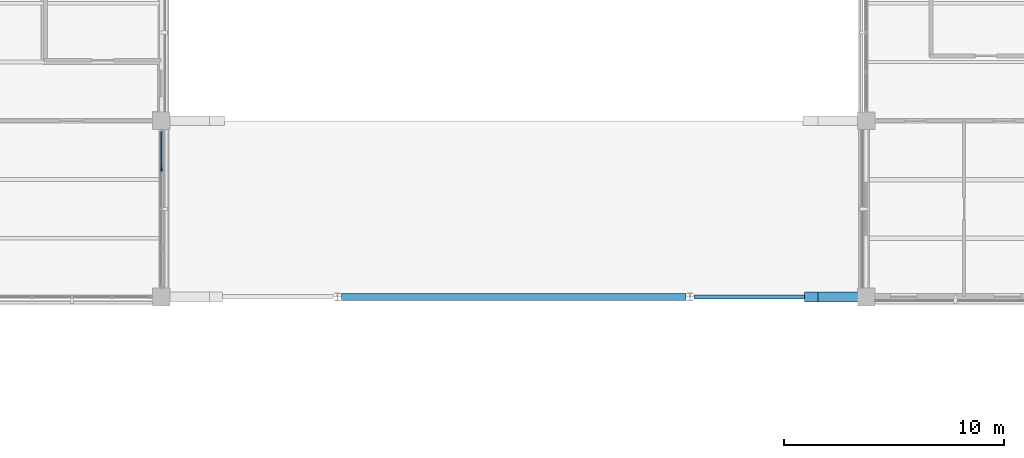
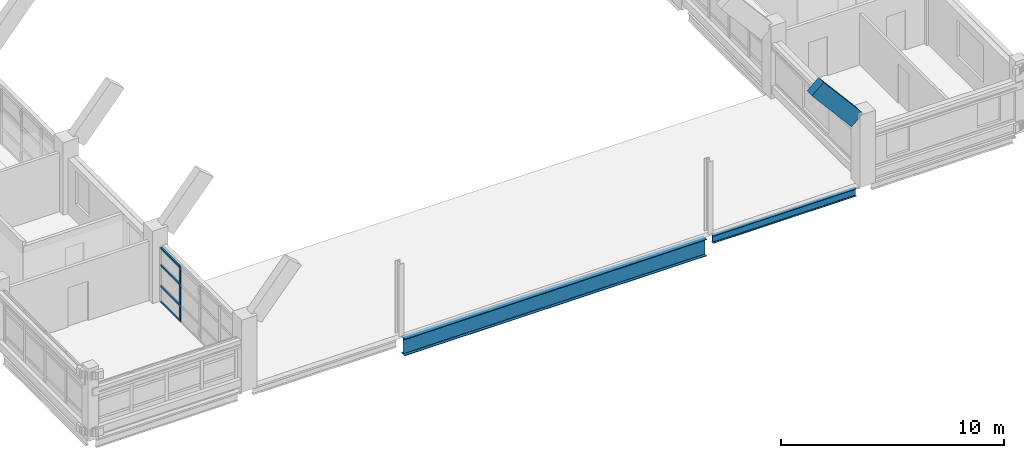
# One storey, part 15 of 92: 5 members, 3 beams, 1 element without a shape of its own.
"""IFC4 building model written with IfcOpenShell, lengths in metres."""

from ifc_helpers import new_model, si_unit, derived_unit, direction, frame, origin, origin_2d, place, context, subcontext, project, spatial, rectangle, i_section, extrude, material, layer, layer_set, material_profile, profile_set, type_object, element, aggregate, save


model = new_model("IFC4")

# Units and contexts
model_context = context("Model", 3, precision=1e-05, world=origin(), true_north=direction((0.0, 1.0)))
body_context = subcontext(model_context, "Body", "Model", "MODEL_VIEW")
ifc_project = project(units=[si_unit("LENGTHUNIT", "METRE"), si_unit("AREAUNIT", "SQUARE_METRE"), si_unit("VOLUMEUNIT", "CUBIC_METRE"), si_unit("PLANEANGLEUNIT", "RADIAN"), si_unit("MASSUNIT", "GRAM", prefix="KILO"), derived_unit("THERMALTRANSMITTANCEUNIT", [(si_unit("MASSUNIT", "GRAM", prefix="KILO"), 1), (si_unit("TIMEUNIT", "SECOND"), -3), (si_unit("THERMODYNAMICTEMPERATUREUNIT", "KELVIN"), -1)])], contexts=[model_context])

# Site, building, storey
site_placement = place(None, origin())
site = spatial("IfcSite", under=ifc_project, at=site_placement, CompositionType="ELEMENT")
building_placement = place(site_placement, origin())
building = spatial("IfcBuilding", under=site, at=building_placement, Name="Veyamyaing Civic Hall", CompositionType="ELEMENT")
storey_placement = place(building_placement, frame((0.0, 0.0, 17.820068359375)))
storey = spatial("IfcBuildingStorey", under=building, at=storey_placement, Name="L04", CompositionType="ELEMENT", Elevation=17.820068359375)

# Beams
ifc_material_1 = material(Name="Steel ASTM A992", Category="steel")
ifc_material_profile_1 = material_profile(ifc_material_1, i_section(OverallWidth=0.303955078125, OverallDepth=0.923095703125, WebThickness=0.018310546875, FlangeThickness=0.030029296875, FilletRadius=0.01806640625, at=origin_2d()), Name="W920X271")
ifc_profile_set_1 = profile_set([ifc_material_profile_1], Name="Steel ASTM A992")
beam_type_1 = type_object("IfcBeamType", Name="B-01", PredefinedType="BEAM", material=ifc_profile_set_1)
beam_1_placement = place(storey_placement, frame((80.1845703125, 24.0, -0.70166015625), z_axis=(1.0, 0.0, 0.0), x_axis=(0.0, 1.0, 0.0)))
element("IfcBeam", 1, at=beam_1_placement, inside=storey, type_object=beam_type_1, Name="Girder B-01 L04 Grid D 11-13", PredefinedType="BEAM", context=body_context, shape_type="SweptSolid", body=[
    extrude(i_section(OverallWidth=0.303955078125, OverallDepth=0.923095703125, WebThickness=0.018310546875, FlangeThickness=0.030029296875, FilletRadius=0.01806640625, at=origin_2d()), origin(), (0.0, 0.0, 1.0), 15.630859375),
])
ifc_material_profile_2 = material_profile(ifc_material_1, i_section(OverallWidth=0.179931640625, OverallDepth=0.4130859375, WebThickness=0.009765625, FlangeThickness=0.01611328125, FilletRadius=0.010009765625, at=origin_2d()), Name="W410X74")
ifc_profile_set_2 = profile_set([ifc_material_profile_2], Name="Steel ASTM A992")
beam_type_2 = type_object("IfcBeamType", Name="B-10", PredefinedType="SPANDREL", material=ifc_profile_set_2)
beam_2_placement = place(storey_placement, frame((96.1845703125, 24.0, -0.446533203125), z_axis=(1.0, 0.0, 0.0), x_axis=(0.0, 1.0, 0.0)))
element("IfcBeam", 2, at=beam_2_placement, inside=storey, type_object=beam_type_2, Name="Girder B-10 L04 Grid D 13-14", PredefinedType="SPANDREL", context=body_context, shape_type="SweptSolid", body=[
    extrude(i_section(OverallWidth=0.179931640625, OverallDepth=0.4130859375, WebThickness=0.009765625, FlangeThickness=0.01611328125, FilletRadius=0.010009765625, at=origin_2d()), origin(), (0.0, 0.0, 1.0), 7.41552734375),
])

# Curtain wall, members
ifc_material_2 = material(Name="Anodised aluminium 6063-T6", Category="aluminium")
ifc_layer = layer(ifc_material_2, 0.159912109375, Name="Anodised aluminium 6063-T6")
ifc_layer_set = layer_set([ifc_layer], Name="Anodised aluminium 6063-T6")
curtain_wall_type = type_object("IfcCurtainWallType", Name="CW-08", PredefinedType="NOTDEFINED", material=ifc_layer_set)
curtain_wall_placement = place(storey_placement, origin())
curtain_wall = element("IfcCurtainWall", 3, at=curtain_wall_placement, inside=storey, type_object=curtain_wall_type, Name="Unitized curtain wall CW-08 L04 E 9.4", PredefinedType="NOTDEFINED")
ifc_material_profile_3 = material_profile(ifc_material_2, rectangle(XDim=0.06494140625, YDim=0.159912109375, at=origin_2d()), Name="ALU-MUL-65X160")
ifc_profile_set_3 = profile_set([ifc_material_profile_3], Name="Anodised aluminium 6063-T6")
member_type_1 = type_object("IfcMemberType", Name="CWM-01", PredefinedType="MULLION", material=ifc_profile_set_3)
member_1_placement = place(storey_placement, frame((72.0, 29.784912109375, 0.0), z_axis=(0.0, 0.0, 1.0), x_axis=(-1.0, 0.0, 0.0)))
member_1 = element("IfcMember", 4, at=member_1_placement, type_object=member_type_1, Name="CW-08 mullion 4", PredefinedType="MULLION", context=body_context, shape_type="SweptSolid", body=[
    extrude(rectangle(XDim=0.06494140625, YDim=0.159912109375, at=origin_2d()), origin(), (0.0, 0.0, 1.0), 3.001953125),
])
ifc_material_profile_4 = material_profile(ifc_material_2, rectangle(XDim=0.06494140625, YDim=0.1201171875, at=origin_2d()), Name="ALU-TRN-65X120")
ifc_profile_set_4 = profile_set([ifc_material_profile_4], Name="Anodised aluminium 6063-T6")
member_type_2 = type_object("IfcMemberType", Name="CWT-01", PredefinedType="USERDEFINED", material=ifc_profile_set_4)
member_2_placement = place(storey_placement, frame((72.0, 29.8173828125, 0.032470703125), z_axis=(0.0, 1.0, 0.0), x_axis=(-1.0, 0.0, 0.0)))
member_2 = element("IfcMember", 5, at=member_2_placement, type_object=member_type_2, Name="CW-08 transom 4.1", ObjectType="TRANSOM", PredefinedType="USERDEFINED", context=body_context, shape_type="SweptSolid", body=[
    extrude(rectangle(XDim=0.06494140625, YDim=0.1201171875, at=origin_2d()), origin(), (0.0, 0.0, 1.0), 1.6875),
])
member_3_placement = place(storey_placement, frame((72.0, 29.8173828125, 0.89990234375), z_axis=(0.0, 1.0, 0.0), x_axis=(-1.0, 0.0, 0.0)))
member_3 = element("IfcMember", 6, at=member_3_placement, type_object=member_type_2, Name="CW-08 transom 4.2", ObjectType="TRANSOM", PredefinedType="USERDEFINED", context=body_context, shape_type="SweptSolid", body=[
    extrude(rectangle(XDim=0.06494140625, YDim=0.1201171875, at=origin_2d()), origin(), (0.0, 0.0, 1.0), 1.6875),
])
member_4_placement = place(storey_placement, frame((72.0, 29.8173828125, 2.041259765625), z_axis=(0.0, 1.0, 0.0), x_axis=(-1.0, 0.0, 0.0)))
member_4 = element("IfcMember", 7, at=member_4_placement, type_object=member_type_2, Name="CW-08 transom 4.3", ObjectType="TRANSOM", PredefinedType="USERDEFINED", context=body_context, shape_type="SweptSolid", body=[
    extrude(rectangle(XDim=0.06494140625, YDim=0.1201171875, at=origin_2d()), origin(), (0.0, 0.0, 1.0), 1.6875),
])
member_5_placement = place(storey_placement, frame((72.0, 29.8173828125, 2.969482421875), z_axis=(0.0, 1.0, 0.0), x_axis=(-1.0, 0.0, 0.0)))
member_5 = element("IfcMember", 8, at=member_5_placement, type_object=member_type_2, Name="CW-08 transom 4.4", ObjectType="TRANSOM", PredefinedType="USERDEFINED", context=body_context, shape_type="SweptSolid", body=[
    extrude(rectangle(XDim=0.06494140625, YDim=0.1201171875, at=origin_2d()), origin(), (0.0, 0.0, 1.0), 1.6875),
])
aggregate(curtain_wall, [member_1, member_2, member_3, member_4, member_5])

# Beam
ifc_material_3 = material(Name="Concrete C40/50", Category="concrete")
ifc_material_profile_5 = material_profile(ifc_material_3, rectangle(XDim=0.449951171875, YDim=0.800048828125, at=origin_2d()), Name="RC-ARCH-450X800")
ifc_profile_set_5 = profile_set([ifc_material_profile_5], Name="Concrete C40/50")
beam_type_3 = type_object("IfcBeamType", Name="VR-02", PredefinedType="BEAM", material=ifc_profile_set_5)
beam_3_placement = place(storey_placement, frame((101.5166015625, 24.0, 6.0166015625), z_axis=(0.647670737377, 0.0, -0.761920347507), x_axis=(0.0, 1.0, 0.0)))
element("IfcBeam", 9, at=beam_3_placement, inside=storey, type_object=beam_type_3, Name="Council Chamber Vault Arch Rib VR-02 R1.F11", PredefinedType="BEAM", context=body_context, shape_type="SweptSolid", body=[
    extrude(rectangle(XDim=0.449951171875, YDim=0.800048828125, at=origin_2d()), origin(), (0.0, 0.0, 1.0), 3.175537109375),
])

save(model, "model.ifc")
